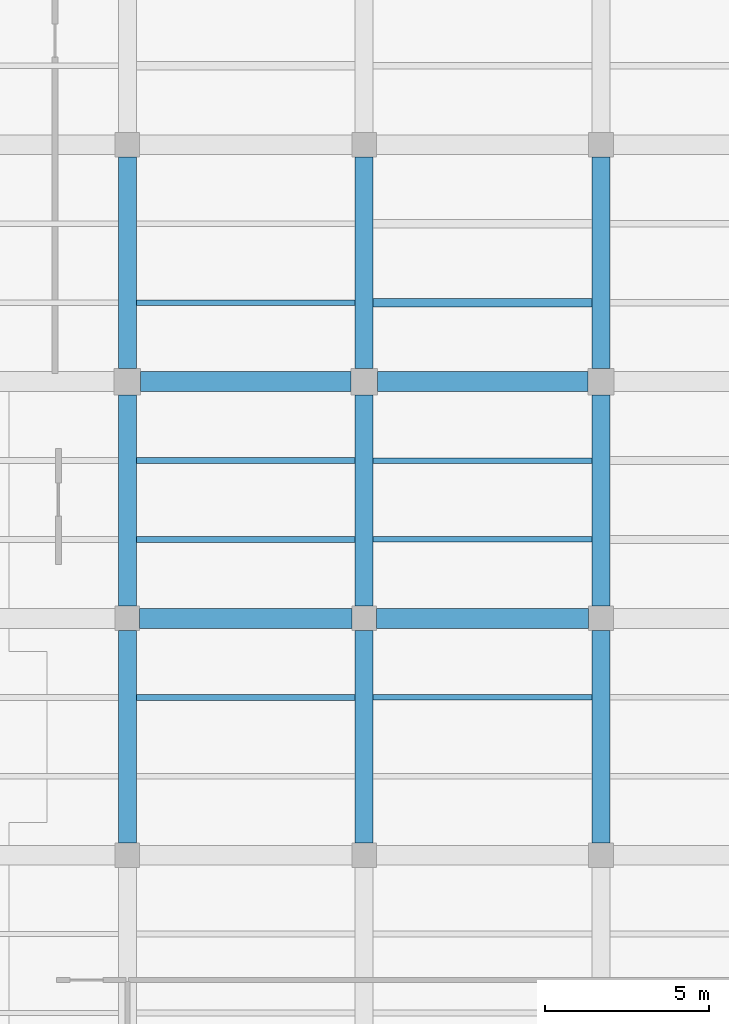
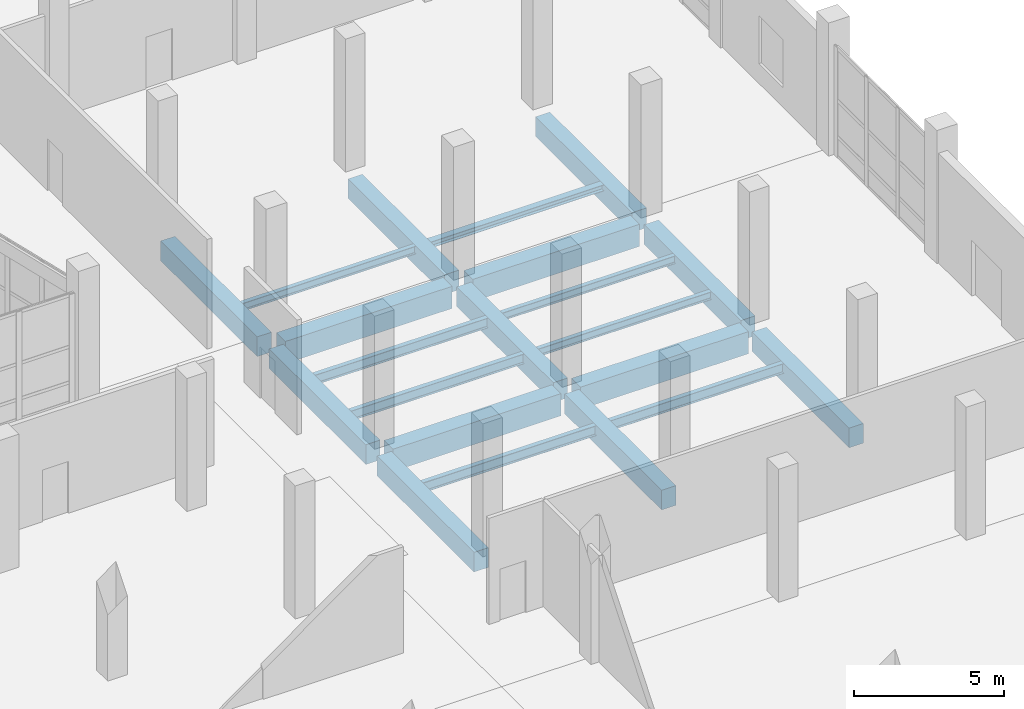
# One storey, part 70 of 137: 21 beams.
"""IFC4 building model written with IfcOpenShell, lengths in metres."""

from ifc_helpers import new_model, si_unit, direction, frame, origin, origin_2d, place, context, subcontext, project, spatial, rectangle, i_section, extrude, material, material_profile, profile_set, type_object, element, save


model = new_model("IFC4")

# Units and contexts
model_context = context("Model", 3, precision=1e-05, world=origin(), true_north=direction((0.0, 1.0)))
body_context = subcontext(model_context, "Body", "Model", "MODEL_VIEW")
ifc_project = project(units=[si_unit("LENGTHUNIT", "METRE"), si_unit("AREAUNIT", "SQUARE_METRE"), si_unit("VOLUMEUNIT", "CUBIC_METRE"), si_unit("PLANEANGLEUNIT", "RADIAN"), si_unit("MASSUNIT", "GRAM", prefix="KILO")], contexts=[model_context])

# Site, building, storey
site_placement = place(None, origin())
site = spatial("IfcSite", under=ifc_project, at=site_placement, CompositionType="ELEMENT")
building_placement = place(site_placement, origin())
building = spatial("IfcBuilding", under=site, at=building_placement, Name="Kalmorath City Hall", CompositionType="ELEMENT")
storey_placement = place(building_placement, origin())
storey = spatial("IfcBuildingStorey", under=building, at=storey_placement, Name="L00", CompositionType="ELEMENT", Elevation=0.0)

# Beams
ifc_material_1 = material(Name="Concrete C40/50", Category="concrete")
ifc_material_profile_1 = material_profile(ifc_material_1, rectangle(XDim=0.550048828125, YDim=0.800048828125, at=origin_2d()), Name="RC-BM-550X800")
ifc_profile_set_1 = profile_set([ifc_material_profile_1], Name="Concrete C40/50")
beam_type_1 = type_object("IfcBeamType", Name="Concrete floor girder 550x800", PredefinedType="BEAM", material=ifc_profile_set_1)
beam_1_placement = place(storey_placement, frame((144.0, 29.175048828125, -0.7041015625), z_axis=(0.0, 1.0, 0.0), x_axis=(-1.0, 0.0, 0.0)))
element("IfcBeam", 1, at=beam_1_placement, inside=storey, type_object=beam_type_1, Name="L00 girder CB2 Y21/5-6", PredefinedType="BEAM", context=body_context, shape_type="SweptSolid", body=[
    extrude(rectangle(XDim=0.550048828125, YDim=0.800048828125, at=origin_2d()), origin(), (0.0, 0.0, 1.0), 6.449951171875),
])
beam_2_placement = place(storey_placement, frame((144.0, 36.375, -0.7041015625), z_axis=(0.0, 1.0, 0.0), x_axis=(-1.0, 0.0, 0.0)))
element("IfcBeam", 2, at=beam_2_placement, inside=storey, type_object=beam_type_1, Name="L00 girder CB2 Y21/6-7", PredefinedType="BEAM", context=body_context, shape_type="SweptSolid", body=[
    extrude(rectangle(XDim=0.550048828125, YDim=0.800048828125, at=origin_2d()), origin(), (0.0, 0.0, 1.0), 6.425048828125),
])
beam_3_placement = place(storey_placement, frame((144.0, 43.60009765625, -0.7041015625), z_axis=(0.0, 1.0, 0.0), x_axis=(-1.0, 0.0, 0.0)))
element("IfcBeam", 3, at=beam_3_placement, inside=storey, type_object=beam_type_1, Name="L00 girder CB2 Y21/7-8", PredefinedType="BEAM", context=body_context, shape_type="SweptSolid", body=[
    extrude(rectangle(XDim=0.550048828125, YDim=0.800048828125, at=origin_2d()), origin(), (0.0, 0.0, 1.0), 6.4248046875),
])
beam_4_placement = place(storey_placement, frame((151.199951171875, 29.175048828125, -0.7041015625), z_axis=(0.0, 1.0, 0.0), x_axis=(-1.0, 0.0, 0.0)))
element("IfcBeam", 4, at=beam_4_placement, inside=storey, type_object=beam_type_1, Name="L00 girder CB2 Y22/5-6", PredefinedType="BEAM", context=body_context, shape_type="SweptSolid", body=[
    extrude(rectangle(XDim=0.550048828125, YDim=0.800048828125, at=origin_2d()), origin(), (0.0, 0.0, 1.0), 6.449951171875),
])
beam_5_placement = place(storey_placement, frame((151.199951171875, 36.375, -0.7041015625), z_axis=(0.0, 1.0, 0.0), x_axis=(-1.0, 0.0, 0.0)))
element("IfcBeam", 5, at=beam_5_placement, inside=storey, type_object=beam_type_1, Name="L00 girder CB2 Y22/6-7", PredefinedType="BEAM", context=body_context, shape_type="SweptSolid", body=[
    extrude(rectangle(XDim=0.550048828125, YDim=0.800048828125, at=origin_2d()), origin(), (0.0, 0.0, 1.0), 6.425048828125),
])
beam_6_placement = place(storey_placement, frame((151.199951171875, 43.60009765625, -0.7041015625), z_axis=(0.0, 1.0, 0.0), x_axis=(-1.0, 0.0, 0.0)))
element("IfcBeam", 6, at=beam_6_placement, inside=storey, type_object=beam_type_1, Name="L00 girder CB2 Y22/7-8", PredefinedType="BEAM", context=body_context, shape_type="SweptSolid", body=[
    extrude(rectangle(XDim=0.550048828125, YDim=0.800048828125, at=origin_2d()), origin(), (0.0, 0.0, 1.0), 6.4248046875),
])
beam_7_placement = place(storey_placement, frame((158.39990234375, 29.175048828125, -0.7041015625), z_axis=(0.0, 1.0, 0.0), x_axis=(-1.0, 0.0, 0.0)))
element("IfcBeam", 7, at=beam_7_placement, inside=storey, type_object=beam_type_1, Name="L00 girder CB2 Y23/5-6", PredefinedType="BEAM", context=body_context, shape_type="SweptSolid", body=[
    extrude(rectangle(XDim=0.550048828125, YDim=0.800048828125, at=origin_2d()), origin(), (0.0, 0.0, 1.0), 6.449951171875),
])
beam_8_placement = place(storey_placement, frame((158.39990234375, 36.375, -0.7041015625), z_axis=(0.0, 1.0, 0.0), x_axis=(-1.0, 0.0, 0.0)))
element("IfcBeam", 8, at=beam_8_placement, inside=storey, type_object=beam_type_1, Name="L00 girder CB2 Y23/6-7", PredefinedType="BEAM", context=body_context, shape_type="SweptSolid", body=[
    extrude(rectangle(XDim=0.550048828125, YDim=0.800048828125, at=origin_2d()), origin(), (0.0, 0.0, 1.0), 6.425048828125),
])
beam_9_placement = place(storey_placement, frame((158.39990234375, 43.60009765625, -0.7041015625), z_axis=(0.0, 1.0, 0.0), x_axis=(-1.0, 0.0, 0.0)))
element("IfcBeam", 9, at=beam_9_placement, inside=storey, type_object=beam_type_1, Name="L00 girder CB2 Y23/7-8", PredefinedType="BEAM", context=body_context, shape_type="SweptSolid", body=[
    extrude(rectangle(XDim=0.550048828125, YDim=0.800048828125, at=origin_2d()), origin(), (0.0, 0.0, 1.0), 6.4248046875),
])
ifc_material_2 = material(Name="Concrete C40/50", Category="concrete")
ifc_material_profile_2 = material_profile(ifc_material_2, rectangle(XDim=0.60009765625, YDim=0.89990234375, at=origin_2d()), Name="RC-BM-600X900")
ifc_profile_set_2 = profile_set([ifc_material_profile_2], Name="Concrete C40/50")
beam_type_2 = type_object("IfcBeamType", Name="Concrete floor girder 600x900", PredefinedType="BEAM", material=ifc_profile_set_2)
for number, where, z_axis, x_axis, name in (
    (10, (144.375, 36.0, -0.75390625), (1.0, 0.0, 0.0), (0.0, 1.0, 0.0), "L00 girder CB1 X21-22/6"),
    (11, (151.574951171875, 36.0, -0.75390625), (1.0, 0.0, 0.0), (0.0, 1.0, 0.0), "L00 girder CB1 X22-23/6"),
):
    element("IfcBeam", number, at=place(storey_placement, frame(where, z_axis=z_axis, x_axis=x_axis)), inside=storey, type_object=beam_type_2, Name=name, PredefinedType="BEAM", context=body_context, shape_type="SweptSolid", body=[
        extrude(rectangle(XDim=0.60009765625, YDim=0.89990234375, at=origin_2d()), origin(), (0.0, 0.0, 1.0), 6.449951171875),
    ])
beam_10_placement = place(storey_placement, frame((144.39990234375, 43.199951171875, -0.75390625), z_axis=(1.0, 0.0, 0.0), x_axis=(0.0, 1.0, 0.0)))
element("IfcBeam", 12, at=beam_10_placement, inside=storey, type_object=beam_type_2, Name="L00 girder CB1 X21-22/7", PredefinedType="BEAM", context=body_context, shape_type="SweptSolid", body=[
    extrude(rectangle(XDim=0.60009765625, YDim=0.89990234375, at=origin_2d()), origin(), (0.0, 0.0, 1.0), 6.400146484375),
])
beam_11_placement = place(storey_placement, frame((151.60009765625, 43.199951171875, -0.75390625), z_axis=(1.0, 0.0, 0.0), x_axis=(0.0, 1.0, 0.0)))
element("IfcBeam", 13, at=beam_11_placement, inside=storey, type_object=beam_type_2, Name="L00 girder CB1 X22-23/7", PredefinedType="BEAM", context=body_context, shape_type="SweptSolid", body=[
    extrude(rectangle(XDim=0.60009765625, YDim=0.89990234375, at=origin_2d()), origin(), (0.0, 0.0, 1.0), 6.39990234375),
])
ifc_material_3 = material(Name="Steel ASTM A992 Grade 50", Category="steel")
ifc_material_profile_3 = material_profile(ifc_material_3, i_section(OverallWidth=0.177001953125, OverallDepth=0.403076171875, WebThickness=0.007568359375, FlangeThickness=0.010986328125, FilletRadius=0.012939453125, at=origin_2d()), Name="W16X36")
ifc_profile_set_3 = profile_set([ifc_material_profile_3], Name="Steel ASTM A992 Grade 50")
beam_type_3 = type_object("IfcBeamType", Name="Steel composite joist W16X36", PredefinedType="JOIST", material=ifc_profile_set_3)
for number, where, z_axis, x_axis, name in (
    (14, (144.27490234375, 38.39990234375, -0.505615234375), (1.0, 0.0, 0.0), (0.0, 1.0, 0.0), "L00 joist SJ7 21.6.1"),
    (15, (144.27490234375, 40.800048828125, -0.505615234375), (1.0, 0.0, 0.0), (0.0, 1.0, 0.0), "L00 joist SJ7 21.6.2"),
):
    element("IfcBeam", number, at=place(storey_placement, frame(where, z_axis=z_axis, x_axis=x_axis)), inside=storey, type_object=beam_type_3, Name=name, PredefinedType="JOIST", context=body_context, shape_type="SweptSolid", body=[
        extrude(i_section(OverallWidth=0.177001953125, OverallDepth=0.403076171875, WebThickness=0.007568359375, FlangeThickness=0.010986328125, FilletRadius=0.012939453125, at=origin_2d()), origin(), (0.0, 0.0, 1.0), 6.650146484375),
    ])
beam_12_placement = place(storey_placement, frame((151.47509765625, 33.60009765625, -0.505615234375), z_axis=(1.0, 0.0, 0.0), x_axis=(0.0, 1.0, 0.0)))
element("IfcBeam", 16, at=beam_12_placement, inside=storey, type_object=beam_type_3, Name="L00 joist SJ7 22.5.2", PredefinedType="JOIST", context=body_context, shape_type="SweptSolid", body=[
    extrude(i_section(OverallWidth=0.177001953125, OverallDepth=0.403076171875, WebThickness=0.007568359375, FlangeThickness=0.010986328125, FilletRadius=0.012939453125, at=origin_2d()), origin(), (0.0, 0.0, 1.0), 6.64990234375),
])
ifc_material_4 = material(Name="Steel ASTM A992 Grade 50", Category="steel")
ifc_material_profile_4 = material_profile(ifc_material_4, i_section(OverallWidth=0.178955078125, OverallDepth=0.409912109375, WebThickness=0.0087890625, FlangeThickness=0.014404296875, FilletRadius=0.012939453125, at=origin_2d()), Name="W16X45")
ifc_profile_set_4 = profile_set([ifc_material_profile_4], Name="Steel ASTM A992 Grade 50")
beam_type_4 = type_object("IfcBeamType", Name="Steel composite joist W16X45", PredefinedType="JOIST", material=ifc_profile_set_4)
beam_13_placement = place(storey_placement, frame((144.27490234375, 33.60009765625, -0.509033203125), z_axis=(1.0, 0.0, 0.0), x_axis=(0.0, 1.0, 0.0)))
element("IfcBeam", 17, at=beam_13_placement, inside=storey, type_object=beam_type_4, Name="L00 joist SJ6 21.5.2", PredefinedType="JOIST", context=body_context, shape_type="SweptSolid", body=[
    extrude(i_section(OverallWidth=0.178955078125, OverallDepth=0.409912109375, WebThickness=0.0087890625, FlangeThickness=0.014404296875, FilletRadius=0.012939453125, at=origin_2d()), origin(), (0.0, 0.0, 1.0), 6.650146484375),
])
ifc_material_5 = material(Name="Steel ASTM A992 Grade 50", Category="steel")
ifc_material_profile_5 = material_profile(ifc_material_5, i_section(OverallWidth=0.1669921875, OverallDepth=0.318115234375, WebThickness=0.007568359375, FlangeThickness=0.01318359375, FilletRadius=0.012939453125, at=origin_2d()), Name="W12X35")
ifc_profile_set_5 = profile_set([ifc_material_profile_5], Name="Steel ASTM A992 Grade 50")
beam_type_5 = type_object("IfcBeamType", Name="Steel header lintel W12X35", PredefinedType="LINTEL", material=ifc_profile_set_5)
beam_14_placement = place(storey_placement, frame((144.27490234375, 45.60009765625, -0.462890625), z_axis=(1.0, 0.0, 0.0), x_axis=(0.0, 1.0, 0.0)))
element("IfcBeam", 18, at=beam_14_placement, inside=storey, type_object=beam_type_5, Name="L00 joist SJ13 21.7.1", PredefinedType="LINTEL", context=body_context, shape_type="SweptSolid", body=[
    extrude(i_section(OverallWidth=0.1669921875, OverallDepth=0.318115234375, WebThickness=0.007568359375, FlangeThickness=0.01318359375, FilletRadius=0.012939453125, at=origin_2d()), origin(), (0.0, 0.0, 1.0), 6.650146484375),
])
for number, where, z_axis, x_axis, name in (
    (19, (151.47509765625, 38.39990234375, -0.462890625), (1.0, 0.0, 0.0), (0.0, 1.0, 0.0), "L00 joist SJ13 22.6.1"),
    (20, (151.47509765625, 40.800048828125, -0.462890625), (1.0, 0.0, 0.0), (0.0, 1.0, 0.0), "L00 joist SJ13 22.6.2"),
):
    element("IfcBeam", number, at=place(storey_placement, frame(where, z_axis=z_axis, x_axis=x_axis)), inside=storey, type_object=beam_type_5, Name=name, PredefinedType="LINTEL", context=body_context, shape_type="SweptSolid", body=[
        extrude(i_section(OverallWidth=0.1669921875, OverallDepth=0.318115234375, WebThickness=0.007568359375, FlangeThickness=0.01318359375, FilletRadius=0.012939453125, at=origin_2d()), origin(), (0.0, 0.0, 1.0), 6.64990234375),
    ])
ifc_material_6 = material(Name="Steel ASTM A992 Grade 50", Category="steel")
ifc_material_profile_6 = material_profile(ifc_material_6, i_section(OverallWidth=0.25390625, OverallDepth=0.2529296875, WebThickness=0.008544921875, FlangeThickness=0.01416015625, FilletRadius=0.011962890625, at=origin_2d()), Name="W10X49")
ifc_profile_set_6 = profile_set([ifc_material_profile_6], Name="Steel ASTM A992 Grade 50")
beam_type_6 = type_object("IfcBeamType", Name="Steel trimmer beam W10X49", PredefinedType="BEAM", material=ifc_profile_set_6)
beam_15_placement = place(storey_placement, frame((151.47509765625, 45.60009765625, -0.430419921875), z_axis=(1.0, 0.0, 0.0), x_axis=(0.0, 1.0, 0.0)))
element("IfcBeam", 21, at=beam_15_placement, inside=storey, type_object=beam_type_6, Name="L00 joist SJ14 22.7.1", PredefinedType="BEAM", context=body_context, shape_type="SweptSolid", body=[
    extrude(i_section(OverallWidth=0.25390625, OverallDepth=0.2529296875, WebThickness=0.008544921875, FlangeThickness=0.01416015625, FilletRadius=0.011962890625, at=origin_2d()), origin(), (0.0, 0.0, 1.0), 6.64990234375),
])

save(model, "model.ifc")
